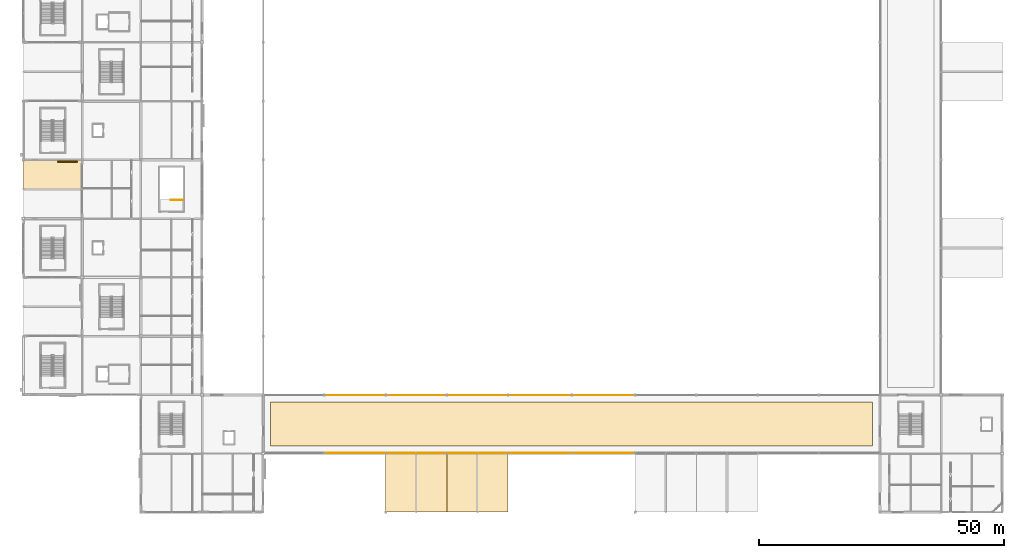
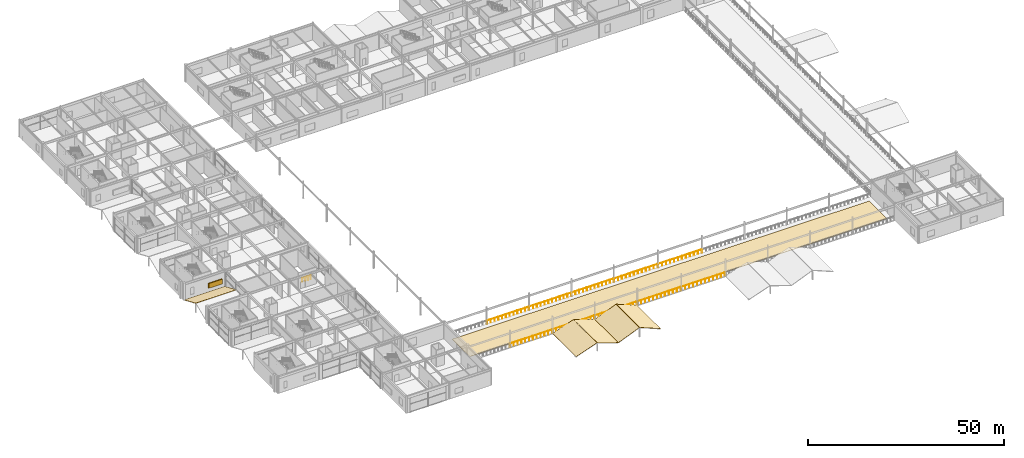
# One storey, part 90 of 105: 11 railings, 6 coverings, 1 shading device.
"""IFC4 building model written with IfcOpenShell, lengths in metres."""

from ifc_helpers import new_model, si_unit, direction, frame, origin, origin_2d, place, context, subcontext, project, spatial, polyline, rectangle, circle, outline, extrude, material, layer, layer_set, type_object, element, save


model = new_model("IFC4")

# Units and contexts
model_context = context("Model", 3, precision=1e-05, world=origin(), true_north=direction((0.0, 1.0)))
body_context = subcontext(model_context, "Body", "Model", "MODEL_VIEW")
ifc_project = project(units=[si_unit("LENGTHUNIT", "METRE"), si_unit("AREAUNIT", "SQUARE_METRE"), si_unit("VOLUMEUNIT", "CUBIC_METRE"), si_unit("PLANEANGLEUNIT", "RADIAN"), si_unit("MASSUNIT", "GRAM", prefix="KILO")], contexts=[model_context])

# Site, building, storey
site_placement = place(None, origin())
site = spatial("IfcSite", under=ifc_project, at=site_placement, CompositionType="ELEMENT")
building_placement = place(site_placement, origin())
building = spatial("IfcBuilding", under=site, at=building_placement, Name="Kazenohara Klinker Stadium", CompositionType="ELEMENT")
storey_placement = place(building_placement, frame((0.0, 0.0, 20.39990234375)))
storey = spatial("IfcBuildingStorey", under=building, at=storey_placement, Name="L04", CompositionType="ELEMENT", Elevation=20.39990234375)

# Coverings
ifc_material_1 = material(Name="Insulated standing-seam copper roofing", Category="metal")
ifc_layer_1 = layer(ifc_material_1, 0.050048828125)
ifc_layer_set_1 = layer_set([ifc_layer_1], Name="Insulated standing-seam copper roofing")
covering_type_1 = type_object("IfcCoveringType", Name="COV-ROOF-01", PredefinedType="ROOFING", material=ifc_layer_set_1)
covering_1_placement = place(storey_placement, frame((0.0, 78.050048828125, 2.52001953125), z_axis=(0.0, 0.393896539344, 0.919154783642), x_axis=(1.0, 0.0, 0.0)))
element("IfcCovering", 1, at=covering_1_placement, inside=storey, type_object=covering_type_1, Name="Standing-seam copper stepped wing roofing L04-B 1/G", PredefinedType="ROOFING", context=body_context, shape_type="SweptSolid", body=[
    extrude(outline(polyline([(0.0, 0.0), (12.0, 0.0), (12.0, 6.473285324477336), (0.0, 6.473285324477336), (0.0, 0.0)])), origin(), (0.0, 0.0, -1.0), 0.050048828125),
])
for number, where, z_axis, x_axis, name in (
    (2, (74.0, 12.0, -0.02978515625), (-0.327622925614, 0.0, 0.944808561886), (0.944808561886, 0.0, 0.327622925614), "Standing-seam copper stepped wing roofing L04-A 7/B"),
    (3, (80.300048828125, 12.0, 2.1201171875), (0.327622925614, 0.0, 0.944808561886), (0.944808561886, 0.0, -0.327622925614), "Standing-seam copper stepped wing roofing L04-B 7/B"),
):
    element("IfcCovering", number, at=place(storey_placement, frame(where, z_axis=z_axis, x_axis=x_axis)), inside=storey, type_object=covering_type_1, Name=name, PredefinedType="ROOFING", context=body_context, shape_type="SweptSolid", body=[
        extrude(outline(polyline([(0.0, 0.0), (6.5621242461032345, 0.0), (6.5621242461032345, 12.0), (0.0, 12.0), (0.0, 0.0)])), origin(), (0.0, 0.0, -1.0), 0.050048828125),
    ])
for number, where, z_axis, x_axis, name in (
    (4, (86.5, 12.0, -0.02978515625), (-0.380352293876, 0.0, 0.924841679718), (0.924841679718, 0.0, 0.380352293876), "Standing-seam copper stepped wing roofing L04-A 8/B"),
    (5, (92.800048828125, 12.0, 2.52001953125), (0.380352293876, 0.0, 0.924841679718), (0.924841679718, 0.0, -0.380352293876), "Standing-seam copper stepped wing roofing L04-B 8/B"),
):
    element("IfcCovering", number, at=place(storey_placement, frame(where, z_axis=z_axis, x_axis=x_axis)), inside=storey, type_object=covering_type_1, Name=name, PredefinedType="ROOFING", context=body_context, shape_type="SweptSolid", body=[
        extrude(outline(polyline([(0.0, 0.0), (6.703797317791698, 0.0), (6.703797317791698, 12.0), (0.0, 12.0), (0.0, 0.0)])), origin(), (0.0, 0.0, -1.0), 0.050048828125),
    ])
ifc_material_2 = material(Name="Green roof sedum substrate and waterproof membrane", Category="earth")
ifc_layer_2 = layer(ifc_material_2, 0.070068359375)
ifc_layer_set_2 = layer_set([ifc_layer_2], Name="Green roof sedum substrate and waterproof membrane")
covering_type_2 = type_object("IfcCoveringType", Name="COV-ROOF-02", PredefinedType="ROOFING", material=ifc_layer_set_2)
covering_2_placement = place(storey_placement, origin())
element("IfcCovering", 6, at=covering_2_placement, inside=storey, type_object=covering_type_2, Name="South terrace sedum roof garden bed", PredefinedType="ROOFING", context=body_context, shape_type="SweptSolid", body=[
    extrude(outline(polyline([(50.5, 25.5), (173.5, 25.5), (173.5, 34.5), (50.5, 34.5), (50.5, 25.5)])), origin(), (0.0, 0.0, 1.0), 0.070068359375),
])

# Railings
ifc_material_3 = material(Name="Tempered laminated glass and stainless steel 316 balustrade", Category="steel")
ifc_layer_3 = layer(ifc_material_3, 0.090087890625)
ifc_layer_set_3 = layer_set([ifc_layer_3], Name="Tempered laminated glass and stainless steel 316 balustrade")
railing_type_1 = type_object("IfcRailingType", Name="RL-BAL-1150", PredefinedType="BALUSTRADE", material=ifc_layer_set_3)
for number, where, name in (
    (7, (61.550048828125, 24.10009765625, 0.0), "Roof garden terrace safety balustrade BL01-003"),
    (8, (61.550048828125, 35.89990234375, 0.0), "Roof garden terrace safety balustrade BL01-004"),
    (9, (74.050048828125, 24.10009765625, 0.0), "Roof garden terrace safety balustrade BL01-005"),
    (10, (74.050048828125, 35.89990234375, 0.0), "Roof garden terrace safety balustrade BL01-006"),
    (11, (86.550048828125, 24.10009765625, 0.0), "Roof garden terrace safety balustrade BL01-007"),
    (12, (86.550048828125, 35.89990234375, 0.0), "Roof garden terrace safety balustrade BL01-008"),
):
    element("IfcRailing", number, at=place(storey_placement, frame(where)), inside=storey, type_object=railing_type_1, Name=name, PredefinedType="BALUSTRADE", context=body_context, shape_type="SweptSolid", body=[
        extrude(circle(Radius=0.02392578125, at=origin_2d()), frame((0.0, 0.0, 1.1259765625), z_axis=(1.0, 0.0, 0.0), x_axis=(0.0, 1.0, 0.0)), (0.0, 0.0, 1.0), 12.39990234375),
        extrude(circle(Radius=0.02099609375, at=origin_2d()), origin(), (0.0, 0.0, 1.0), 1.101806640625),
        extrude(circle(Radius=0.02099609375, at=origin_2d()), frame((1.127197265625, 0.0, 0.0)), (0.0, 0.0, 1.0), 1.101806640625),
        extrude(circle(Radius=0.02099609375, at=origin_2d()), frame((2.254638671875, 0.0, 0.0)), (0.0, 0.0, 1.0), 1.101806640625),
        extrude(circle(Radius=0.02099609375, at=origin_2d()), frame((3.3818359375, 0.0, 0.0)), (0.0, 0.0, 1.0), 1.101806640625),
        extrude(circle(Radius=0.02099609375, at=origin_2d()), frame((4.509033203125, 0.0, 0.0)), (0.0, 0.0, 1.0), 1.101806640625),
        extrude(circle(Radius=0.02099609375, at=origin_2d()), frame((5.63623046875, 0.0, 0.0)), (0.0, 0.0, 1.0), 1.101806640625),
        extrude(circle(Radius=0.02099609375, at=origin_2d()), frame((6.763671875, 0.0, 0.0)), (0.0, 0.0, 1.0), 1.101806640625),
        extrude(circle(Radius=0.02099609375, at=origin_2d()), frame((7.890869140625, 0.0, 0.0)), (0.0, 0.0, 1.0), 1.101806640625),
        extrude(circle(Radius=0.02099609375, at=origin_2d()), frame((9.01806640625, 0.0, 0.0)), (0.0, 0.0, 1.0), 1.101806640625),
        extrude(circle(Radius=0.02099609375, at=origin_2d()), frame((10.145263671875, 0.0, 0.0)), (0.0, 0.0, 1.0), 1.101806640625),
        extrude(circle(Radius=0.02099609375, at=origin_2d()), frame((11.272705078125, 0.0, 0.0)), (0.0, 0.0, 1.0), 1.101806640625),
        extrude(circle(Radius=0.02099609375, at=origin_2d()), frame((12.39990234375, 0.0, 0.0)), (0.0, 0.0, 1.0), 1.101806640625),
    ])
for number, where, name in (
    (13, (99.050048828125, 24.10009765625, 0.0), "Roof garden terrace safety balustrade BL01-009"),
    (14, (99.050048828125, 35.89990234375, 0.0), "Roof garden terrace safety balustrade BL01-010"),
    (15, (112.050048828125, 24.10009765625, 0.0), "Roof garden terrace safety balustrade BL01-011"),
    (16, (112.050048828125, 35.89990234375, 0.0), "Roof garden terrace safety balustrade BL01-012"),
):
    element("IfcRailing", number, at=place(storey_placement, frame(where)), inside=storey, type_object=railing_type_1, Name=name, PredefinedType="BALUSTRADE", context=body_context, shape_type="SweptSolid", body=[
        extrude(circle(Radius=0.02392578125, at=origin_2d()), frame((0.0, 0.0, 1.1259765625), z_axis=(1.0, 0.0, 0.0), x_axis=(0.0, 1.0, 0.0)), (0.0, 0.0, 1.0), 12.89990234375),
        extrude(circle(Radius=0.02099609375, at=origin_2d()), origin(), (0.0, 0.0, 1.0), 1.101806640625),
        extrude(circle(Radius=0.02099609375, at=origin_2d()), frame((1.172607421875, 0.0, 0.0)), (0.0, 0.0, 1.0), 1.101806640625),
        extrude(circle(Radius=0.02099609375, at=origin_2d()), frame((2.345458984375, 0.0, 0.0)), (0.0, 0.0, 1.0), 1.101806640625),
        extrude(circle(Radius=0.02099609375, at=origin_2d()), frame((3.51806640625, 0.0, 0.0)), (0.0, 0.0, 1.0), 1.101806640625),
        extrude(circle(Radius=0.02099609375, at=origin_2d()), frame((4.69091796875, 0.0, 0.0)), (0.0, 0.0, 1.0), 1.101806640625),
        extrude(circle(Radius=0.02099609375, at=origin_2d()), frame((5.863525390625, 0.0, 0.0)), (0.0, 0.0, 1.0), 1.101806640625),
        extrude(circle(Radius=0.02099609375, at=origin_2d()), frame((7.036376953125, 0.0, 0.0)), (0.0, 0.0, 1.0), 1.101806640625),
        extrude(circle(Radius=0.02099609375, at=origin_2d()), frame((8.208984375, 0.0, 0.0)), (0.0, 0.0, 1.0), 1.101806640625),
        extrude(circle(Radius=0.02099609375, at=origin_2d()), frame((9.3818359375, 0.0, 0.0)), (0.0, 0.0, 1.0), 1.101806640625),
        extrude(circle(Radius=0.02099609375, at=origin_2d()), frame((10.554443359375, 0.0, 0.0)), (0.0, 0.0, 1.0), 1.101806640625),
        extrude(circle(Radius=0.02099609375, at=origin_2d()), frame((11.727294921875, 0.0, 0.0)), (0.0, 0.0, 1.0), 1.101806640625),
        extrude(circle(Radius=0.02099609375, at=origin_2d()), frame((12.89990234375, 0.0, 0.0)), (0.0, 0.0, 1.0), 1.101806640625),
    ])
ifc_material_4 = material(Name="Painted steel stairwell guardrail", Category="steel")
ifc_layer_4 = layer(ifc_material_4, 0.06005859375)
ifc_layer_set_4 = layer_set([ifc_layer_4], Name="Painted steel stairwell guardrail")
railing_type_2 = type_object("IfcRailingType", Name="RL-STG-1120", PredefinedType="GUARDRAIL", material=ifc_layer_set_4)
railing_placement = place(storey_placement, frame((32.64990234375, 75.7900390625, 0.0)))
element("IfcRailing", 17, at=railing_placement, inside=storey, type_object=railing_type_2, Name="L04 ST17 top well guard 1", PredefinedType="GUARDRAIL", context=body_context, shape_type="SweptSolid", body=[
    extrude(circle(Radius=0.02392578125, at=origin_2d()), frame((0.0, 0.0, 1.1259765625), z_axis=(-1.0, 0.0, 0.0), x_axis=(0.0, -1.0, 0.0)), (0.0, 0.0, 1.0), 2.5),
    extrude(circle(Radius=0.02099609375, at=origin_2d()), origin(), (0.0, 0.0, 1.0), 1.101806640625),
    extrude(circle(Radius=0.02099609375, at=origin_2d()), frame((-0.833251953125, 0.0, 0.0)), (0.0, 0.0, 1.0), 1.101806640625),
    extrude(circle(Radius=0.02099609375, at=origin_2d()), frame((-1.666748046875, 0.0, 0.0)), (0.0, 0.0, 1.0), 1.101806640625),
    extrude(circle(Radius=0.02099609375, at=origin_2d()), frame((-2.5, 0.0, 0.0)), (0.0, 0.0, 1.0), 1.101806640625),
])

# Shading device
ifc_material_5 = material(Name="Perforated clinker-brick and bronze louvre grille", Category="masonry")
shading_device_type = type_object("IfcShadingDeviceType", Name="SHD-LOUV-02", PredefinedType="JALOUSIE", material=ifc_material_5)
shading_device_placement = place(storey_placement, frame((9.037841796875, 83.699951171875, 1.35009765625), z_axis=(0.0, 0.0, 1.0), x_axis=(1.0, 0.0, 0.0)))
element("IfcShadingDevice", 18, at=shading_device_placement, inside=storey, type_object=shading_device_type, Name="Perforated clinker-brick louvre screen LV02-19", PredefinedType="JALOUSIE", context=body_context, shape_type="SweptSolid", body=[
    extrude(rectangle(XDim=4.0, YDim=0.300048828125, at=origin_2d()), origin(), (0.0, 0.0, 1.0), 1.5),
])

save(model, "model.ifc")
